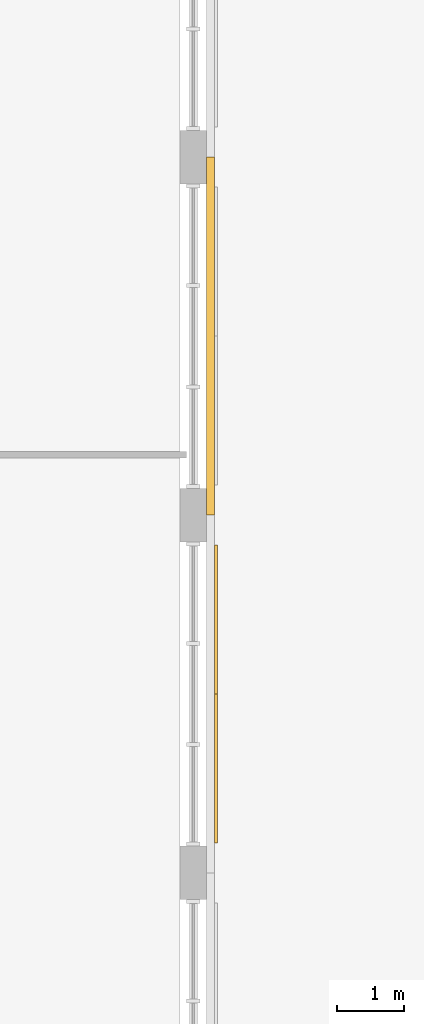
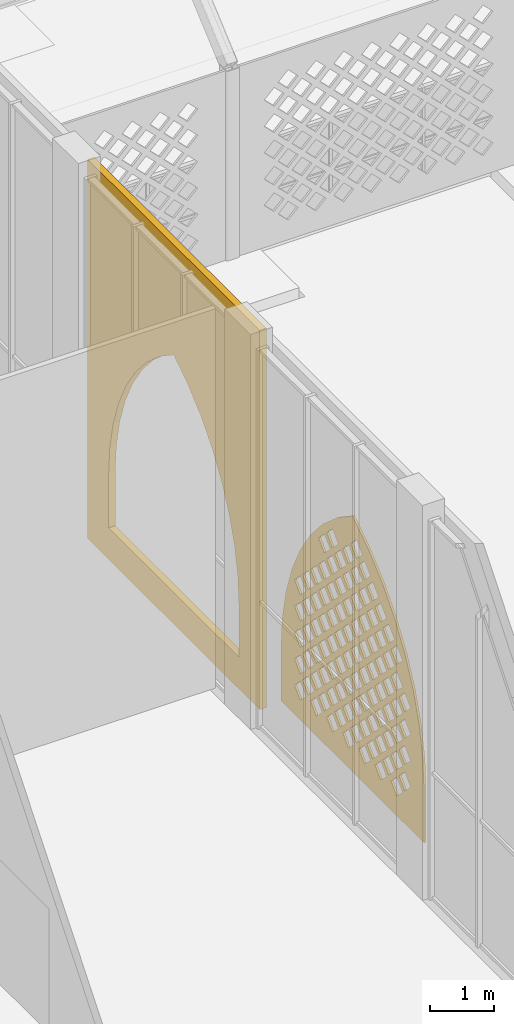
# One storey, part 57 of 79: 2 coverings.
"""IFC4 building model written with IfcOpenShell, lengths in metres."""

from ifc_helpers import new_model, si_unit, direction, frame, origin, place, context, subcontext, project, spatial, polyline, outline, extrude, material, layer, layer_set, type_object, element, save


model = new_model("IFC4")

# Units and contexts
model_context = context("Model", 3, precision=1e-05, world=origin(), true_north=direction((0.0, 1.0)))
body_context = subcontext(model_context, "Body", "Model", "MODEL_VIEW")
ifc_project = project(units=[si_unit("LENGTHUNIT", "METRE"), si_unit("AREAUNIT", "SQUARE_METRE"), si_unit("VOLUMEUNIT", "CUBIC_METRE"), si_unit("PLANEANGLEUNIT", "RADIAN"), si_unit("MASSUNIT", "GRAM", prefix="KILO")], contexts=[model_context])

# Site, building, storey
site_placement = place(None, origin())
site = spatial("IfcSite", under=ifc_project, at=site_placement, CompositionType="ELEMENT")
building_placement = place(site_placement, origin())
building = spatial("IfcBuilding", under=site, at=building_placement, Name="Noorbagh Ring Tower", CompositionType="ELEMENT")
storey_placement = place(building_placement, origin())
storey = spatial("IfcBuildingStorey", under=building, at=storey_placement, Name="L00", CompositionType="ELEMENT", Elevation=0.0)

# Coverings
ifc_material_1 = material(Name="Red sandstone jali", Category="masonry")
ifc_layer_1 = layer(ifc_material_1, 0.0400390625)
ifc_layer_set_1 = layer_set([ifc_layer_1], Name="Red sandstone jali")
covering_type_1 = type_object("IfcCoveringType", Name="STH-JALI", PredefinedType="USERDEFINED", material=ifc_layer_set_1)
covering_1_placement = place(storey_placement, frame((-94.840087890625, -14.60009765625, 0.39990234375), z_axis=(1.0, 0.0, 0.0), x_axis=(0.0, 1.0, 0.0)))
element("IfcCovering", 1, at=covering_1_placement, inside=storey, type_object=covering_type_1, Name="Jali screen", ObjectType="SCREEN", PredefinedType="USERDEFINED", context=body_context, shape_type="SweptSolid", body=[
    extrude(outline(polyline([(0.0, 0.0), (4.4501953125, 0.0), (4.4501953125, 1.0), (4.412109375, 1.580810546875), (4.298583984375, 2.15185546875), (4.111328125, 2.702880859375), (3.85400390625, 3.22509765625), (3.530517578125, 3.708984375), (3.146728515625, 4.146728515625), (2.708984375, 4.530517578125), (2.22509765625, 4.85400390625), (1.7412109375, 4.530517578125), (1.303466796875, 4.146728515625), (0.919677734375, 3.708984375), (0.59619140625, 3.22509765625), (0.3388671875, 2.702880859375), (0.151611328125, 2.15185546875), (0.0380859375, 1.580810546875), (0.0, 1.0), (0.0, 0.0)]), holes=[polyline([(0.669921875, 0.552001953125), (0.85009765625, 0.371826171875), (1.030029296875, 0.552001953125), (0.85009765625, 0.73193359375), (0.669921875, 0.552001953125)]), polyline([(1.169921875, 0.552001953125), (1.35009765625, 0.371826171875), (1.530029296875, 0.552001953125), (1.35009765625, 0.73193359375), (1.169921875, 0.552001953125)]), polyline([(1.669921875, 0.552001953125), (1.85009765625, 0.371826171875), (2.030029296875, 0.552001953125), (1.85009765625, 0.73193359375), (1.669921875, 0.552001953125)]), polyline([(2.169921875, 0.552001953125), (2.35009765625, 0.371826171875), (2.530029296875, 0.552001953125), (2.35009765625, 0.73193359375), (2.169921875, 0.552001953125)]), polyline([(2.669921875, 0.552001953125), (2.85009765625, 0.371826171875), (3.030029296875, 0.552001953125), (2.85009765625, 0.73193359375), (2.669921875, 0.552001953125)]), polyline([(3.169921875, 0.552001953125), (3.35009765625, 0.371826171875), (3.530029296875, 0.552001953125), (3.35009765625, 0.73193359375), (3.169921875, 0.552001953125)]), polyline([(3.669921875, 0.552001953125), (3.85009765625, 0.371826171875), (4.030029296875, 0.552001953125), (3.85009765625, 0.73193359375), (3.669921875, 0.552001953125)]), polyline([(0.419921875, 0.802001953125), (0.60009765625, 0.621826171875), (0.780029296875, 0.802001953125), (0.60009765625, 0.98193359375), (0.419921875, 0.802001953125)]), polyline([(0.919921875, 0.802001953125), (1.10009765625, 0.621826171875), (1.280029296875, 0.802001953125), (1.10009765625, 0.98193359375), (0.919921875, 0.802001953125)]), polyline([(1.419921875, 0.802001953125), (1.60009765625, 0.621826171875), (1.780029296875, 0.802001953125), (1.60009765625, 0.98193359375), (1.419921875, 0.802001953125)]), polyline([(1.919921875, 0.802001953125), (2.10009765625, 0.621826171875), (2.280029296875, 0.802001953125), (2.10009765625, 0.98193359375), (1.919921875, 0.802001953125)]), polyline([(2.419921875, 0.802001953125), (2.60009765625, 0.621826171875), (2.780029296875, 0.802001953125), (2.60009765625, 0.98193359375), (2.419921875, 0.802001953125)]), polyline([(2.919921875, 0.802001953125), (3.10009765625, 0.621826171875), (3.280029296875, 0.802001953125), (3.10009765625, 0.98193359375), (2.919921875, 0.802001953125)]), polyline([(3.419921875, 0.802001953125), (3.60009765625, 0.621826171875), (3.780029296875, 0.802001953125), (3.60009765625, 0.98193359375), (3.419921875, 0.802001953125)]), polyline([(0.669921875, 1.052001953125), (0.85009765625, 0.871826171875), (1.030029296875, 1.052001953125), (0.85009765625, 1.23193359375), (0.669921875, 1.052001953125)]), polyline([(1.169921875, 1.052001953125), (1.35009765625, 0.871826171875), (1.530029296875, 1.052001953125), (1.35009765625, 1.23193359375), (1.169921875, 1.052001953125)]), polyline([(1.669921875, 1.052001953125), (1.85009765625, 0.871826171875), (2.030029296875, 1.052001953125), (1.85009765625, 1.23193359375), (1.669921875, 1.052001953125)]), polyline([(2.169921875, 1.052001953125), (2.35009765625, 0.871826171875), (2.530029296875, 1.052001953125), (2.35009765625, 1.23193359375), (2.169921875, 1.052001953125)]), polyline([(2.669921875, 1.052001953125), (2.85009765625, 0.871826171875), (3.030029296875, 1.052001953125), (2.85009765625, 1.23193359375), (2.669921875, 1.052001953125)]), polyline([(3.169921875, 1.052001953125), (3.35009765625, 0.871826171875), (3.530029296875, 1.052001953125), (3.35009765625, 1.23193359375), (3.169921875, 1.052001953125)]), polyline([(3.669921875, 1.052001953125), (3.85009765625, 0.871826171875), (4.030029296875, 1.052001953125), (3.85009765625, 1.23193359375), (3.669921875, 1.052001953125)]), polyline([(0.419921875, 1.302001953125), (0.60009765625, 1.121826171875), (0.780029296875, 1.302001953125), (0.60009765625, 1.48193359375), (0.419921875, 1.302001953125)]), polyline([(0.919921875, 1.302001953125), (1.10009765625, 1.121826171875), (1.280029296875, 1.302001953125), (1.10009765625, 1.48193359375), (0.919921875, 1.302001953125)]), polyline([(1.419921875, 1.302001953125), (1.60009765625, 1.121826171875), (1.780029296875, 1.302001953125), (1.60009765625, 1.48193359375), (1.419921875, 1.302001953125)]), polyline([(1.919921875, 1.302001953125), (2.10009765625, 1.121826171875), (2.280029296875, 1.302001953125), (2.10009765625, 1.48193359375), (1.919921875, 1.302001953125)]), polyline([(2.419921875, 1.302001953125), (2.60009765625, 1.121826171875), (2.780029296875, 1.302001953125), (2.60009765625, 1.48193359375), (2.419921875, 1.302001953125)]), polyline([(2.919921875, 1.302001953125), (3.10009765625, 1.121826171875), (3.280029296875, 1.302001953125), (3.10009765625, 1.48193359375), (2.919921875, 1.302001953125)]), polyline([(3.419921875, 1.302001953125), (3.60009765625, 1.121826171875), (3.780029296875, 1.302001953125), (3.60009765625, 1.48193359375), (3.419921875, 1.302001953125)]), polyline([(0.669921875, 1.552001953125), (0.85009765625, 1.371826171875), (1.030029296875, 1.552001953125), (0.85009765625, 1.73193359375), (0.669921875, 1.552001953125)]), polyline([(1.169921875, 1.552001953125), (1.35009765625, 1.371826171875), (1.530029296875, 1.552001953125), (1.35009765625, 1.73193359375), (1.169921875, 1.552001953125)]), polyline([(1.669921875, 1.552001953125), (1.85009765625, 1.371826171875), (2.030029296875, 1.552001953125), (1.85009765625, 1.73193359375), (1.669921875, 1.552001953125)]), polyline([(2.169921875, 1.552001953125), (2.35009765625, 1.371826171875), (2.530029296875, 1.552001953125), (2.35009765625, 1.73193359375), (2.169921875, 1.552001953125)]), polyline([(2.669921875, 1.552001953125), (2.85009765625, 1.371826171875), (3.030029296875, 1.552001953125), (2.85009765625, 1.73193359375), (2.669921875, 1.552001953125)]), polyline([(3.169921875, 1.552001953125), (3.35009765625, 1.371826171875), (3.530029296875, 1.552001953125), (3.35009765625, 1.73193359375), (3.169921875, 1.552001953125)]), polyline([(3.669921875, 1.552001953125), (3.85009765625, 1.371826171875), (4.030029296875, 1.552001953125), (3.85009765625, 1.73193359375), (3.669921875, 1.552001953125)]), polyline([(0.419921875, 1.802001953125), (0.60009765625, 1.621826171875), (0.780029296875, 1.802001953125), (0.60009765625, 1.98193359375), (0.419921875, 1.802001953125)]), polyline([(0.919921875, 1.802001953125), (1.10009765625, 1.621826171875), (1.280029296875, 1.802001953125), (1.10009765625, 1.98193359375), (0.919921875, 1.802001953125)]), polyline([(1.419921875, 1.802001953125), (1.60009765625, 1.621826171875), (1.780029296875, 1.802001953125), (1.60009765625, 1.98193359375), (1.419921875, 1.802001953125)]), polyline([(1.919921875, 1.802001953125), (2.10009765625, 1.621826171875), (2.280029296875, 1.802001953125), (2.10009765625, 1.98193359375), (1.919921875, 1.802001953125)]), polyline([(2.419921875, 1.802001953125), (2.60009765625, 1.621826171875), (2.780029296875, 1.802001953125), (2.60009765625, 1.98193359375), (2.419921875, 1.802001953125)]), polyline([(2.919921875, 1.802001953125), (3.10009765625, 1.621826171875), (3.280029296875, 1.802001953125), (3.10009765625, 1.98193359375), (2.919921875, 1.802001953125)]), polyline([(3.419921875, 1.802001953125), (3.60009765625, 1.621826171875), (3.780029296875, 1.802001953125), (3.60009765625, 1.98193359375), (3.419921875, 1.802001953125)]), polyline([(0.669921875, 2.052001953125), (0.85009765625, 1.871826171875), (1.030029296875, 2.052001953125), (0.85009765625, 2.23193359375), (0.669921875, 2.052001953125)]), polyline([(1.169921875, 2.052001953125), (1.35009765625, 1.871826171875), (1.530029296875, 2.052001953125), (1.35009765625, 2.23193359375), (1.169921875, 2.052001953125)]), polyline([(1.669921875, 2.052001953125), (1.85009765625, 1.871826171875), (2.030029296875, 2.052001953125), (1.85009765625, 2.23193359375), (1.669921875, 2.052001953125)]), polyline([(2.169921875, 2.052001953125), (2.35009765625, 1.871826171875), (2.530029296875, 2.052001953125), (2.35009765625, 2.23193359375), (2.169921875, 2.052001953125)]), polyline([(2.669921875, 2.052001953125), (2.85009765625, 1.871826171875), (3.030029296875, 2.052001953125), (2.85009765625, 2.23193359375), (2.669921875, 2.052001953125)]), polyline([(3.169921875, 2.052001953125), (3.35009765625, 1.871826171875), (3.530029296875, 2.052001953125), (3.35009765625, 2.23193359375), (3.169921875, 2.052001953125)]), polyline([(3.669921875, 2.052001953125), (3.85009765625, 1.871826171875), (4.030029296875, 2.052001953125), (3.85009765625, 2.23193359375), (3.669921875, 2.052001953125)]), polyline([(0.419921875, 2.302001953125), (0.60009765625, 2.121826171875), (0.780029296875, 2.302001953125), (0.60009765625, 2.48193359375), (0.419921875, 2.302001953125)]), polyline([(0.919921875, 2.302001953125), (1.10009765625, 2.121826171875), (1.280029296875, 2.302001953125), (1.10009765625, 2.48193359375), (0.919921875, 2.302001953125)]), polyline([(1.419921875, 2.302001953125), (1.60009765625, 2.121826171875), (1.780029296875, 2.302001953125), (1.60009765625, 2.48193359375), (1.419921875, 2.302001953125)]), polyline([(1.919921875, 2.302001953125), (2.10009765625, 2.121826171875), (2.280029296875, 2.302001953125), (2.10009765625, 2.48193359375), (1.919921875, 2.302001953125)]), polyline([(2.419921875, 2.302001953125), (2.60009765625, 2.121826171875), (2.780029296875, 2.302001953125), (2.60009765625, 2.48193359375), (2.419921875, 2.302001953125)]), polyline([(2.919921875, 2.302001953125), (3.10009765625, 2.121826171875), (3.280029296875, 2.302001953125), (3.10009765625, 2.48193359375), (2.919921875, 2.302001953125)]), polyline([(3.419921875, 2.302001953125), (3.60009765625, 2.121826171875), (3.780029296875, 2.302001953125), (3.60009765625, 2.48193359375), (3.419921875, 2.302001953125)]), polyline([(0.669921875, 2.552001953125), (0.85009765625, 2.371826171875), (1.030029296875, 2.552001953125), (0.85009765625, 2.73193359375), (0.669921875, 2.552001953125)]), polyline([(1.169921875, 2.552001953125), (1.35009765625, 2.371826171875), (1.530029296875, 2.552001953125), (1.35009765625, 2.73193359375), (1.169921875, 2.552001953125)]), polyline([(1.669921875, 2.552001953125), (1.85009765625, 2.371826171875), (2.030029296875, 2.552001953125), (1.85009765625, 2.73193359375), (1.669921875, 2.552001953125)]), polyline([(2.169921875, 2.552001953125), (2.35009765625, 2.371826171875), (2.530029296875, 2.552001953125), (2.35009765625, 2.73193359375), (2.169921875, 2.552001953125)]), polyline([(2.669921875, 2.552001953125), (2.85009765625, 2.371826171875), (3.030029296875, 2.552001953125), (2.85009765625, 2.73193359375), (2.669921875, 2.552001953125)]), polyline([(3.169921875, 2.552001953125), (3.35009765625, 2.371826171875), (3.530029296875, 2.552001953125), (3.35009765625, 2.73193359375), (3.169921875, 2.552001953125)]), polyline([(3.669921875, 2.552001953125), (3.85009765625, 2.371826171875), (4.030029296875, 2.552001953125), (3.85009765625, 2.73193359375), (3.669921875, 2.552001953125)]), polyline([(0.919921875, 2.802001953125), (1.10009765625, 2.621826171875), (1.280029296875, 2.802001953125), (1.10009765625, 2.98193359375), (0.919921875, 2.802001953125)]), polyline([(1.419921875, 2.802001953125), (1.60009765625, 2.621826171875), (1.780029296875, 2.802001953125), (1.60009765625, 2.98193359375), (1.419921875, 2.802001953125)]), polyline([(1.919921875, 2.802001953125), (2.10009765625, 2.621826171875), (2.280029296875, 2.802001953125), (2.10009765625, 2.98193359375), (1.919921875, 2.802001953125)]), polyline([(2.419921875, 2.802001953125), (2.60009765625, 2.621826171875), (2.780029296875, 2.802001953125), (2.60009765625, 2.98193359375), (2.419921875, 2.802001953125)]), polyline([(2.919921875, 2.802001953125), (3.10009765625, 2.621826171875), (3.280029296875, 2.802001953125), (3.10009765625, 2.98193359375), (2.919921875, 2.802001953125)]), polyline([(3.419921875, 2.802001953125), (3.60009765625, 2.621826171875), (3.780029296875, 2.802001953125), (3.60009765625, 2.98193359375), (3.419921875, 2.802001953125)]), polyline([(0.669921875, 3.052001953125), (0.85009765625, 2.871826171875), (1.030029296875, 3.052001953125), (0.85009765625, 3.23193359375), (0.669921875, 3.052001953125)]), polyline([(1.169921875, 3.052001953125), (1.35009765625, 2.871826171875), (1.530029296875, 3.052001953125), (1.35009765625, 3.23193359375), (1.169921875, 3.052001953125)]), polyline([(1.669921875, 3.052001953125), (1.85009765625, 2.871826171875), (2.030029296875, 3.052001953125), (1.85009765625, 3.23193359375), (1.669921875, 3.052001953125)]), polyline([(2.169921875, 3.052001953125), (2.35009765625, 2.871826171875), (2.530029296875, 3.052001953125), (2.35009765625, 3.23193359375), (2.169921875, 3.052001953125)]), polyline([(2.669921875, 3.052001953125), (2.85009765625, 2.871826171875), (3.030029296875, 3.052001953125), (2.85009765625, 3.23193359375), (2.669921875, 3.052001953125)]), polyline([(3.169921875, 3.052001953125), (3.35009765625, 2.871826171875), (3.530029296875, 3.052001953125), (3.35009765625, 3.23193359375), (3.169921875, 3.052001953125)]), polyline([(0.919921875, 3.302001953125), (1.10009765625, 3.121826171875), (1.280029296875, 3.302001953125), (1.10009765625, 3.48193359375), (0.919921875, 3.302001953125)]), polyline([(1.419921875, 3.302001953125), (1.60009765625, 3.121826171875), (1.780029296875, 3.302001953125), (1.60009765625, 3.48193359375), (1.419921875, 3.302001953125)]), polyline([(1.919921875, 3.302001953125), (2.10009765625, 3.121826171875), (2.280029296875, 3.302001953125), (2.10009765625, 3.48193359375), (1.919921875, 3.302001953125)]), polyline([(2.419921875, 3.302001953125), (2.60009765625, 3.121826171875), (2.780029296875, 3.302001953125), (2.60009765625, 3.48193359375), (2.419921875, 3.302001953125)]), polyline([(2.919921875, 3.302001953125), (3.10009765625, 3.121826171875), (3.280029296875, 3.302001953125), (3.10009765625, 3.48193359375), (2.919921875, 3.302001953125)]), polyline([(1.169921875, 3.552001953125), (1.35009765625, 3.371826171875), (1.530029296875, 3.552001953125), (1.35009765625, 3.73193359375), (1.169921875, 3.552001953125)]), polyline([(1.669921875, 3.552001953125), (1.85009765625, 3.371826171875), (2.030029296875, 3.552001953125), (1.85009765625, 3.73193359375), (1.669921875, 3.552001953125)]), polyline([(2.169921875, 3.552001953125), (2.35009765625, 3.371826171875), (2.530029296875, 3.552001953125), (2.35009765625, 3.73193359375), (2.169921875, 3.552001953125)]), polyline([(2.669921875, 3.552001953125), (2.85009765625, 3.371826171875), (3.030029296875, 3.552001953125), (2.85009765625, 3.73193359375), (2.669921875, 3.552001953125)]), polyline([(1.419921875, 3.802001953125), (1.60009765625, 3.621826171875), (1.780029296875, 3.802001953125), (1.60009765625, 3.98193359375), (1.419921875, 3.802001953125)]), polyline([(1.919921875, 3.802001953125), (2.10009765625, 3.621826171875), (2.280029296875, 3.802001953125), (2.10009765625, 3.98193359375), (1.919921875, 3.802001953125)]), polyline([(2.419921875, 3.802001953125), (2.60009765625, 3.621826171875), (2.780029296875, 3.802001953125), (2.60009765625, 3.98193359375), (2.419921875, 3.802001953125)]), polyline([(2.919921875, 3.802001953125), (3.10009765625, 3.621826171875), (3.280029296875, 3.802001953125), (3.10009765625, 3.98193359375), (2.919921875, 3.802001953125)]), polyline([(1.669921875, 4.052001953125), (1.85009765625, 3.871826171875), (2.030029296875, 4.052001953125), (1.85009765625, 4.23193359375), (1.669921875, 4.052001953125)]), polyline([(2.169921875, 4.052001953125), (2.35009765625, 3.871826171875), (2.530029296875, 4.052001953125), (2.35009765625, 4.23193359375), (2.169921875, 4.052001953125)]), polyline([(2.669921875, 4.052001953125), (2.85009765625, 3.871826171875), (3.030029296875, 4.052001953125), (2.85009765625, 4.23193359375), (2.669921875, 4.052001953125)]), polyline([(1.919921875, 4.302001953125), (2.10009765625, 4.121826171875), (2.280029296875, 4.302001953125), (2.10009765625, 4.48193359375), (1.919921875, 4.302001953125)])]), origin(), (0.0, 0.0, -1.0), 0.0400390625),
])
ifc_material_2 = material(Name="Red sandstone cladding", Category="masonry")
ifc_layer_2 = layer(ifc_material_2, 0.1201171875)
ifc_layer_set_2 = layer_set([ifc_layer_2], Name="Red sandstone cladding")
covering_type_2 = type_object("IfcCoveringType", Name="STH-SPANDREL", PredefinedType="USERDEFINED", material=ifc_layer_set_2)
covering_2_placement = place(storey_placement, frame((-94.8798828125, -9.699951171875, 0.0), z_axis=(1.0, 0.0, 0.0), x_axis=(0.0, 1.0, 0.0)))
element("IfcCovering", 2, at=covering_2_placement, inside=storey, type_object=covering_type_2, Name="Arch spandrel", ObjectType="ARCH", PredefinedType="USERDEFINED", context=body_context, shape_type="SweptSolid", body=[
    extrude(outline(polyline([(0.0, 0.0), (5.349853515625, 0.0), (5.349853515625, 7.199951171875), (0.0, 7.199951171875), (0.0, 0.0)]), holes=[polyline([(0.64990234375, 0.60009765625), (0.64990234375, 1.60009765625), (0.6845703125, 2.128662109375), (0.7880859375, 2.648193359375), (0.958251953125, 3.14990234375), (1.192626953125, 3.625), (1.48681640625, 4.0654296875), (1.836181640625, 4.4638671875), (2.234619140625, 4.81298828125), (2.675048828125, 5.107421875), (3.115478515625, 4.81298828125), (3.513916015625, 4.4638671875), (3.863037109375, 4.0654296875), (4.157470703125, 3.625), (4.3916015625, 3.14990234375), (4.56201171875, 2.648193359375), (4.665283203125, 2.128662109375), (4.699951171875, 1.60009765625), (4.699951171875, 0.60009765625), (0.64990234375, 0.60009765625)])]), origin(), (0.0, 0.0, -1.0), 0.1201171875),
])

save(model, "model.ifc")
